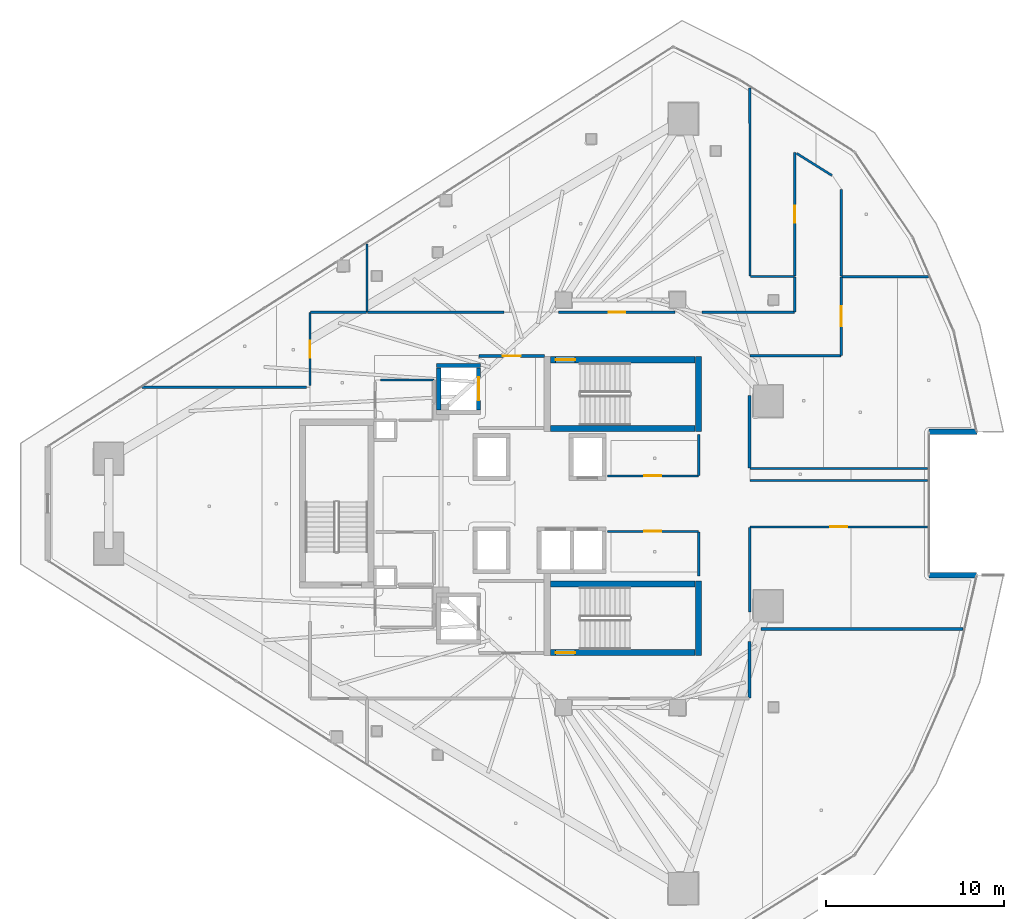
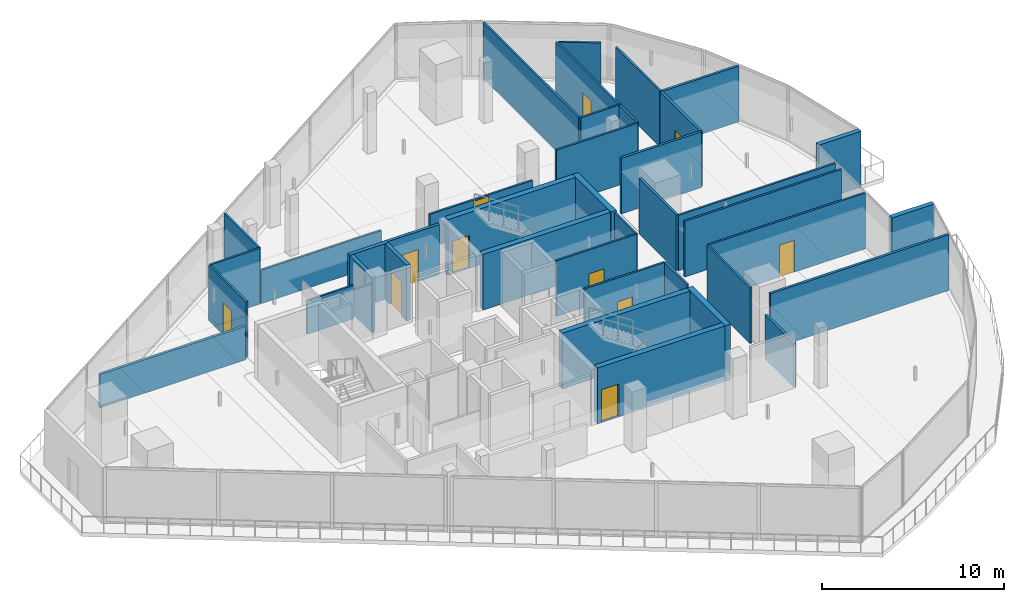
# One storey, part 26 of 34: 40 walls, 11 doors, 11 openings.
"""IFC4 building model written with IfcOpenShell, lengths in metres."""

import ifcopenshell
import ifcopenshell.guid

model = None  # the IFC model being written
_history = None  # IfcOwnerHistory: only IFC2X3 demands one
_inside = {}  # id of a spatial element -> (the spatial element, [elements in it])
_under = {}  # id of a project, library or spatial element -> (it, [spatial elements below it])
_declared = {}  # id of a project -> (the project, [libraries it declares])
_typed = {}  # id of a type object -> (the type object, [elements of that type])
_made_of = {}  # id of a material, layer set ... -> (it, [elements and type objects made of it])


def new_model(schema):
    """Start an empty IFC model of exactly this schema.

    Asked for "IFC4X3", IfcOpenShell would pick the latest addendum, in which some entities
    have other attributes; the version numbers below select the first issue.
    IFC2X3 requires an IfcOwnerHistory on every rooted entity: one is made here for all.
    """
    global model, _history
    if schema == "IFC4X3":
        model = ifcopenshell.file(schema_version=(4, 3, 0, 0))
    else:
        model = ifcopenshell.file(schema=schema)
    _inside.clear()
    _under.clear()
    _declared.clear()
    _typed.clear()
    _made_of.clear()
    _history = None
    if model.schema == "IFC2X3":
        org = make("IfcOrganization", Name="unknown")
        user = make(
            "IfcPersonAndOrganization",
            ThePerson=make("IfcPerson", FamilyName="unknown"),
            TheOrganization=org,
        )
        app = make(
            "IfcApplication",
            ApplicationDeveloper=org,
            Version="unknown",
            ApplicationFullName="unknown",
            ApplicationIdentifier="unknown",
        )
        _history = make(
            "IfcOwnerHistory",
            OwningUser=user,
            OwningApplication=app,
            ChangeAction="ADDED",
            CreationDate=0,
        )
    return model


def make(cls, **values):
    """One entity of the class cls with the attributes given. An attribute that is None is left unset."""
    return model.create_entity(
        cls, **{name: value for name, value in values.items() if value is not None}
    )


def rooted(cls, **values):
    """An entity with a GlobalId (a new one), such as an element, a storey or a relation."""
    return make(cls, GlobalId=ifcopenshell.guid.new(), OwnerHistory=_history, **values)


def si_unit(unit_type, name, prefix=None):
    """IfcSIUnit, for example si_unit("LENGTHUNIT", "METRE", prefix="MILLI")."""
    return make("IfcSIUnit", UnitType=unit_type, Prefix=prefix, Name=name)


def assignment(units):
    """IfcUnitAssignment: the units of a project."""
    return None if units is None else make("IfcUnitAssignment", Units=units)


def point(xyz):
    """IfcCartesianPoint."""
    return None if xyz is None else make("IfcCartesianPoint", Coordinates=xyz)


def direction(xyz):
    """IfcDirection."""
    return None if xyz is None else make("IfcDirection", DirectionRatios=xyz)


def frame(location, z_axis=None, x_axis=None):
    """IfcAxis2Placement3D, a coordinate frame: its origin and axes. An axis left out is left unset."""
    return make(
        "IfcAxis2Placement3D",
        Location=point(location),
        Axis=direction(z_axis),
        RefDirection=direction(x_axis),
    )


def frame_2d(location, x_axis=None):
    """IfcAxis2Placement2D, a coordinate frame in the plane: its origin and x axis."""
    return make(
        "IfcAxis2Placement2D", Location=point(location), RefDirection=direction(x_axis)
    )


def origin():
    """The frame at (0, 0, 0) with its axes left unset."""
    return frame((0.0, 0.0, 0.0))


def place(relative_to, where):
    """IfcLocalPlacement: puts the frame where relative to a parent placement (None: the world)."""
    return make(
        "IfcLocalPlacement", PlacementRelTo=relative_to, RelativePlacement=where
    )


def context(
    kind, dimensions, precision=None, world=None, true_north=None, identifier=None
):
    """IfcGeometricRepresentationContext, for example the 3D "Model" context."""
    return make(
        "IfcGeometricRepresentationContext",
        ContextIdentifier=identifier,
        ContextType=kind,
        CoordinateSpaceDimension=dimensions,
        Precision=precision,
        WorldCoordinateSystem=world,
        TrueNorth=true_north,
    )


def subcontext(parent, identifier, kind, view, scale=None):
    """IfcGeometricRepresentationSubContext, for example "Body" below "Model"."""
    return make(
        "IfcGeometricRepresentationSubContext",
        ContextIdentifier=identifier,
        ContextType=kind,
        ParentContext=parent,
        TargetScale=scale,
        TargetView=view,
    )


def project(units=None, contexts=None):
    """IfcProject with its units and contexts."""
    return rooted(
        "IfcProject",
        Name="project",
        RepresentationContexts=contexts,
        UnitsInContext=assignment(units),
    )


def spatial(cls, under=None, at=None, **own):
    """A site, building, storey or space (cls), placed at a placement, below another one or the project."""
    s = rooted(cls, ObjectPlacement=at, **own)
    if under is not None:
        _under.setdefault(under.id(), (under, []))[1].append(s)
    return s


def profile(cls, at=None, kind="AREA", **sizes):
    """A parametric profile (cls). Its sizes go by their IFC names, for example OverallWidth=200.0."""
    return make(cls, ProfileType=kind, Position=at, **sizes)


def rectangle(**sizes):
    """IfcRectangleProfileDef."""
    return profile("IfcRectangleProfileDef", **sizes)


def extrude(swept, where, along, depth):
    """IfcExtrudedAreaSolid: the profile swept, set in the frame where, extruded along a direction by depth."""
    return make(
        "IfcExtrudedAreaSolid",
        SweptArea=swept,
        Position=where,
        ExtrudedDirection=direction(along),
        Depth=depth,
    )


def shape(context_of_items, identifier, shape_type, items):
    """IfcShapeRepresentation: the items that make up one representation, for example the "Body"."""
    return make(
        "IfcShapeRepresentation",
        ContextOfItems=context_of_items,
        RepresentationIdentifier=identifier,
        RepresentationType=shape_type,
        Items=items,
    )


def material(Name=None, Category=None):
    """IfcMaterial."""
    return make("IfcMaterial", Name=Name, Category=Category)


def layer(
    of_material, thickness, ventilated=None, Name=None, Category=None, Priority=None
):
    """IfcMaterialLayer: one layer of a wall or slab, of a material (None: an air gap)."""
    return make(
        "IfcMaterialLayer",
        Material=of_material,
        LayerThickness=thickness,
        IsVentilated=ventilated,
        Name=Name,
        Category=Category,
        Priority=Priority,
    )


def layer_set(layers, Name=None):
    """IfcMaterialLayerSet."""
    return make("IfcMaterialLayerSet", MaterialLayers=layers, LayerSetName=Name)


def made_of(thing, what):
    """Note that an element or type object is made of a material, layer set ...; save() writes the relation."""
    if what is not None:
        _made_of.setdefault(what.id(), (what, []))[1].append(thing)
    return thing


def type_object(cls, material=None, **own):
    """A type object (cls), such as IfcWallType, which elements share."""
    return made_of(rooted(cls, **own), material)


def element(
    cls,
    number,
    at=None,
    inside=None,
    cuts=None,
    type_object=None,
    material=None,
    context=None,
    identifier="Body",
    shape_type=None,
    held_by="IfcProductDefinitionShape",
    body=None,
    shapes=None,
    **own,
):
    """One element of the class cls, such as IfcWall. Its Tag is "e" and its number.

    at: its placement. inside: the storey or other place that contains it. cuts: it is an
    opening in that element (IfcRelVoidsElement). A single representation is given by context,
    identifier, shape_type and body (its items); several are given by shapes. held_by: the class
    of the entity that holds the representations. save() writes the other relations.
    """
    e = rooted(cls, Tag="e%d" % number, ObjectPlacement=at, **own)
    if body is not None:
        shapes = [shape(context, identifier, shape_type, body)]
    if shapes is not None:
        e.Representation = make(held_by, Representations=shapes)
    if inside is not None:
        _inside.setdefault(inside.id(), (inside, []))[1].append(e)
    if cuts is not None:
        rooted(
            "IfcRelVoidsElement", RelatingBuildingElement=cuts, RelatedOpeningElement=e
        )
    if type_object is not None:
        _typed.setdefault(type_object.id(), (type_object, []))[1].append(e)
    return made_of(e, material)


def fill(opening, filler):
    """IfcRelFillsElement: the door or window that sits in an opening."""
    return rooted(
        "IfcRelFillsElement",
        RelatingOpeningElement=opening,
        RelatedBuildingElement=filler,
    )


def aggregate(whole, parts):
    """IfcRelAggregates: a whole, such as a stair, and the parts it consists of."""
    return rooted("IfcRelAggregates", RelatingObject=whole, RelatedObjects=parts)


def save(model, path):
    """Write the relations noted so far, then the file.

    IfcRelAggregates (storeys below a building ...), IfcRelContainedInSpatialStructure (elements
    in a storey), IfcRelDefinesByType, IfcRelAssociatesMaterial and IfcRelDeclares: one each for
    every whole, place, type object, material and project.
    """
    for whole, parts in _under.values():
        aggregate(whole, parts)
    for where, things in _inside.values():
        rooted(
            "IfcRelContainedInSpatialStructure",
            RelatedElements=things,
            RelatingStructure=where,
        )
    for kind, things in _typed.values():
        rooted("IfcRelDefinesByType", RelatedObjects=things, RelatingType=kind)
    for what, things in _made_of.values():
        rooted("IfcRelAssociatesMaterial", RelatedObjects=things, RelatingMaterial=what)
    for by, libraries in _declared.values():
        rooted("IfcRelDeclares", RelatingContext=by, RelatedDefinitions=libraries)
    model.write(path)


model = new_model("IFC4")

# Units and contexts
model_context = context("Model", 3, precision=1e-05, world=origin(), true_north=direction((0.0, 1.0)))
body_context = subcontext(model_context, "Body", "Model", "MODEL_VIEW")
ifc_project = project(units=[si_unit("LENGTHUNIT", "METRE"), si_unit("AREAUNIT", "SQUARE_METRE"), si_unit("VOLUMEUNIT", "CUBIC_METRE"), si_unit("PLANEANGLEUNIT", "RADIAN"), si_unit("MASSUNIT", "GRAM", prefix="KILO")], contexts=[model_context])

# Site, building, storey
site_placement = place(None, origin())
site = spatial("IfcSite", under=ifc_project, at=site_placement, CompositionType="ELEMENT")
building_placement = place(site_placement, origin())
building = spatial("IfcBuilding", under=site, at=building_placement, Name="Qorvath Tower", CompositionType="ELEMENT")
storey_placement = place(building_placement, frame((0.0, 0.0, 245.550048828125)))
storey = spatial("IfcBuildingStorey", under=building, at=storey_placement, Name="L57", CompositionType="ELEMENT", Elevation=245.550048828125)

# Wall, opening, door
ifc_material_1 = material(Name="Gypsum shaftliner on steel studs", Category="steel")
ifc_layer_1 = layer(ifc_material_1, 0.179931640625)
ifc_layer_set_1 = layer_set([ifc_layer_1], Name="FW-LOBBY")
wall_type_1 = type_object("IfcWallType", Name="FW-LOBBY", PredefinedType="PARTITIONING", material=ifc_layer_set_1)
wall_1_placement = place(storey_placement, frame((-24.68408203125, 8.300048828125, 0.0), z_axis=(0.0, 0.0, 1.0), x_axis=(-1.0, 0.0, 0.0)))
wall_1 = element("IfcWall", 1, at=wall_1_placement, inside=storey, type_object=wall_type_1, Name="Interior Partition IW-T1-L57-002", PredefinedType="PARTITIONING", context=body_context, shape_type="SweptSolid", body=[
    extrude(rectangle(XDim=3.6708984375, YDim=0.179931640625, at=frame_2d((1.83544921875, 0.0))), origin(), (0.0, 0.0, 1.0), 3.368896484375),
])
opening_1_placement = place(wall_1_placement, frame((1.33544921875, 0.0, 0.0)))
opening_1 = element("IfcOpeningElement", 2, at=opening_1_placement, cuts=wall_1, Name="Opening D-T1-L57-11", PredefinedType="OPENING", context=body_context, shape_type="SweptSolid", body=[
    extrude(rectangle(XDim=1.0, YDim=2.14990234375, at=frame_2d((0.5, 1.074951171875))), frame((0.0, 0.10009765625, 0.0), z_axis=(0.0, -1.0, 0.0), x_axis=(1.0, 0.0, 0.0)), (0.0, 0.0, 1.0), 0.199951171875),
])
ifc_material_2 = material(Name="Painted galvanised hollow metal", Category="steel")
door_type_1 = type_object("IfcDoorType", Name="FD-60", OperationType="NOTDEFINED", PredefinedType="DOOR", material=ifc_material_2)
door_1_placement = place(opening_1_placement, origin())
door_1 = element("IfcDoor", 3, at=door_1_placement, inside=storey, type_object=door_type_1, Name="Lobby Fire Service Elevator North Door D-T1-L57-11", OperationType="SINGLE_SWING_RIGHT", OverallHeight=2.14990234375, OverallWidth=1.0, PredefinedType="DOOR", context=body_context, shape_type="SweptSolid", body=[
    extrude(rectangle(XDim=1.0, YDim=2.14990234375, at=frame_2d((0.5, 1.074951171875))), frame((0.0, 0.02490234375, 0.0), z_axis=(0.0, -1.0, 0.0), x_axis=(1.0, 0.0, 0.0)), (0.0, 0.0, 1.0), 0.050048828125),
])
fill(opening_1, door_1)

# Walls
ifc_material_3 = material(Name="Double acoustic gypsum board on steel studs", Category="steel")
ifc_layer_2 = layer(ifc_material_3, 0.159912109375)
ifc_layer_set_2 = layer_set([ifc_layer_2], Name="IW-ACOUSTIC-160")
wall_type_2 = type_object("IfcWallType", Name="IW-ACOUSTIC-160", PredefinedType="PARTITIONING", material=ifc_layer_set_2)
wall_2_placement = place(storey_placement, frame((-1.1455078125, -7.0546875, 0.0), z_axis=(0.0, 0.0, 1.0), x_axis=(-0.99999999169, 0.000128921357, 0.0)))
element("IfcWall", 4, at=wall_2_placement, inside=storey, type_object=wall_type_2, Name="Interior Partition IW-T1-L57-027", PredefinedType="PARTITIONING", context=body_context, shape_type="SweptSolid", body=[
    extrude(rectangle(XDim=11.3623046875, YDim=0.159912109375, at=frame_2d((5.68115234375, 0.0))), origin(), (0.0, 0.0, 1.0), 3.75),
])
wall_3_placement = place(storey_placement, frame((-13.14208984375, -10.93310546875, 0.0), z_axis=(0.0, 0.0, 1.0), x_axis=(0.0, 1.0, 0.0)))
element("IfcWall", 5, at=wall_3_placement, inside=storey, type_object=wall_type_2, Name="Interior Partition IW-T1-L57-028", PredefinedType="PARTITIONING", context=body_context, shape_type="SweptSolid", body=[
    extrude(rectangle(XDim=3.17529296875, YDim=0.159912109375, at=frame_2d((1.587646484375, 0.0))), origin(), (0.0, 0.0, 1.0), 2.969970703125),
])
wall_4_placement = place(storey_placement, frame((-3.08544921875, 12.7548828125, 0.0), z_axis=(0.0, 0.0, 1.0), x_axis=(-1.0, 0.0, 0.0)))
element("IfcWall", 6, at=wall_4_placement, inside=storey, type_object=wall_type_2, Name="Interior Partition IW-T1-L57-037", PredefinedType="PARTITIONING", context=body_context, shape_type="SweptSolid", body=[
    extrude(rectangle(XDim=4.88134765625, YDim=0.159912109375, at=frame_2d((2.440673828125, 0.0))), origin(), (0.0, 0.0, 1.0), 3.75),
])

# Wall, opening, door
wall_5_placement = place(storey_placement, frame((-7.991943359375, 12.72998046875, 0.0), z_axis=(0.0, 0.0, 1.0), x_axis=(0.0, -1.0, 0.0)))
wall_5 = element("IfcWall", 7, at=wall_5_placement, inside=storey, type_object=wall_type_2, Name="Interior Partition IW-T1-L57-038", PredefinedType="PARTITIONING", context=body_context, shape_type="SweptSolid", body=[
    extrude(rectangle(XDim=4.39306640625, YDim=0.159912109375, at=frame_2d((2.196533203125, 0.0))), origin(), (0.0, 0.0, 1.0), 3.75),
])
opening_2_placement = place(wall_5_placement, frame((1.646484375, 0.0, 0.0)))
opening_2 = element("IfcOpeningElement", 8, at=opening_2_placement, cuts=wall_5, Name="Opening D-T1-L57-07", PredefinedType="OPENING", context=body_context, shape_type="SweptSolid", body=[
    extrude(rectangle(XDim=1.10009765625, YDim=2.14990234375, at=frame_2d((0.550048828125, 1.074951171875))), frame((0.0, 0.08984375, 0.0), z_axis=(0.0, -1.0, 0.0), x_axis=(1.0, 0.0, 0.0)), (0.0, 0.0, 1.0), 0.179931640625),
])
ifc_material_4 = material(Name="Anodised aluminium acoustic framed glass", Category="aluminium")
door_type_2 = type_object("IfcDoorType", Name="D-03", OperationType="NOTDEFINED", PredefinedType="DOOR", material=ifc_material_4)
door_2_placement = place(opening_2_placement, origin())
door_2 = element("IfcDoor", 9, at=door_2_placement, inside=storey, type_object=door_type_2, Name="L57-04 Team Project Office Door D-T1-L57-07", OperationType="SINGLE_SWING_RIGHT", OverallHeight=2.14990234375, OverallWidth=1.10009765625, PredefinedType="DOOR", context=body_context, shape_type="SweptSolid", body=[
    extrude(rectangle(XDim=1.10009765625, YDim=2.14990234375, at=frame_2d((0.550048828125, 1.074951171875))), frame((0.0, 0.02490234375, 0.0), z_axis=(0.0, -1.0, 0.0), x_axis=(1.0, 0.0, 0.0)), (0.0, 0.0, 1.0), 0.050048828125),
])
fill(opening_2, door_2)

# Walls
wall_6_placement = place(storey_placement, frame((-8.016845703125, 8.31201171875, 0.0), z_axis=(0.0, 0.0, 1.0), x_axis=(-1.0, 0.0, 0.0)))
element("IfcWall", 10, at=wall_6_placement, inside=storey, type_object=wall_type_2, Name="Interior Partition IW-T1-L57-039", PredefinedType="PARTITIONING", context=body_context, shape_type="SweptSolid", body=[
    extrude(rectangle(XDim=5.100341796875, YDim=0.159912109375, at=frame_2d((2.55029296875, 0.0))), origin(), (0.0, 0.0, 1.0), 3.75),
])
wall_7_placement = place(storey_placement, frame((-13.14208984375, 6.08984375, 0.0), z_axis=(0.0, 0.0, 1.0), x_axis=(0.0, -1.0, 0.0)))
element("IfcWall", 11, at=wall_7_placement, inside=storey, type_object=wall_type_2, Name="Interior Partition IW-T1-L57-040", PredefinedType="PARTITIONING", context=body_context, shape_type="SweptSolid", body=[
    extrude(rectangle(XDim=4.075927734375, YDim=0.159912109375, at=frame_2d((2.0380859375, 0.0))), origin(), (0.0, 0.0, 1.0), 3.75),
])
wall_8_placement = place(storey_placement, frame((-38.059814453125, 6.5400390625, 0.0), z_axis=(0.0, 0.0, 1.0), x_axis=(-0.999999991292, 0.000131971387, 0.0)))
element("IfcWall", 12, at=wall_8_placement, inside=storey, type_object=wall_type_2, Name="Interior Partition IW-T1-L57-046", PredefinedType="PARTITIONING", context=body_context, shape_type="SweptSolid", body=[
    extrude(rectangle(XDim=9.249755859375, YDim=0.159912109375, at=frame_2d((4.625, 0.0))), origin(), (0.0, 0.0, 1.0), 2.25),
])

# Wall, opening, door
ifc_material_5 = material(Name="Gypsum board on metal studs with mineral wool", Category="gypsum")
ifc_layer_3 = layer(ifc_material_5, 0.125)
ifc_layer_set_3 = layer_set([ifc_layer_3], Name="IW-PART-125")
wall_type_3 = type_object("IfcWallType", Name="IW-PART-125", PredefinedType="PARTITIONING", material=ifc_layer_set_3)
wall_9_placement = place(storey_placement, frame((-21.1337890625, 1.56005859375, 0.0), z_axis=(0.0, 0.0, 1.0), x_axis=(1.0, 0.0, 0.0)))
wall_9 = element("IfcWall", 13, at=wall_9_placement, inside=storey, type_object=wall_type_3, Name="Interior Partition IW-T1-L57-013", PredefinedType="PARTITIONING", context=body_context, shape_type="SweptSolid", body=[
    extrude(rectangle(XDim=5.10888671875, YDim=0.125, at=frame_2d((2.554443359375, 0.0))), origin(), (0.0, 0.0, 1.0), 3.75),
])
opening_3_placement = place(wall_9_placement, frame((2.079345703125, 0.0, 0.0)))
opening_3 = element("IfcOpeningElement", 14, at=opening_3_placement, cuts=wall_9, Name="Opening D-T1-L57-01", PredefinedType="OPENING", context=body_context, shape_type="SweptSolid", body=[
    extrude(rectangle(XDim=0.949951171875, YDim=2.14990234375, at=frame_2d((0.47509765625, 1.074951171875))), frame((0.0, 0.072509765625, 0.0), z_axis=(0.0, -1.0, 0.0), x_axis=(1.0, 0.0, 0.0)), (0.0, 0.0, 1.0), 0.14501953125),
])
ifc_material_6 = material(Name="Solid-core American white oak veneer", Category="wood")
door_type_3 = type_object("IfcDoorType", Name="D-01", OperationType="NOTDEFINED", PredefinedType="DOOR", material=ifc_material_6)
door_3_placement = place(opening_3_placement, origin())
door_3 = element("IfcDoor", 15, at=door_3_placement, inside=storey, type_object=door_type_3, Name="L57-RCN North Quantitative Server Suite Door D-T1-L57-01", OperationType="SINGLE_SWING_RIGHT", OverallHeight=2.14990234375, OverallWidth=0.949951171875, PredefinedType="DOOR", context=body_context, shape_type="SweptSolid", body=[
    extrude(rectangle(XDim=0.949951171875, YDim=2.14990234375, at=frame_2d((0.47509765625, 1.074951171875))), frame((0.0, 0.02490234375, 0.0), z_axis=(0.0, -1.0, 0.0), x_axis=(1.0, 0.0, 0.0)), (0.0, 0.0, 1.0), 0.050048828125),
])
fill(opening_3, door_3)

# Walls
wall_10_placement = place(storey_placement, frame((-16.0, 1.585205078125, 0.0), z_axis=(0.0, 0.0, 1.0), x_axis=(0.0, 1.0, 0.0)))
element("IfcWall", 16, at=wall_10_placement, inside=storey, type_object=wall_type_3, Name="Interior Partition IW-T1-L57-014", PredefinedType="PARTITIONING", context=body_context, shape_type="SweptSolid", body=[
    extrude(rectangle(XDim=2.30224609375, YDim=0.125, at=frame_2d((1.151123046875, 0.0))), origin(), (0.0, 0.0, 1.0), 3.75),
])
wall_11_placement = place(storey_placement, frame((-16.0, -4.0751953125, 0.0), z_axis=(0.0, 0.0, 1.0), x_axis=(0.0, 1.0, 0.0)))
element("IfcWall", 17, at=wall_11_placement, inside=storey, type_object=wall_type_3, Name="Interior Partition IW-T1-L57-015", PredefinedType="PARTITIONING", context=body_context, shape_type="SweptSolid", body=[
    extrude(rectangle(XDim=2.489990234375, YDim=0.125, at=frame_2d((1.2451171875, 0.0))), origin(), (0.0, 0.0, 1.0), 3.75),
])

# Wall, opening, door
wall_12_placement = place(storey_placement, frame((-16.02490234375, -1.56005859375, 0.0), z_axis=(0.0, 0.0, 1.0), x_axis=(-1.0, 0.0, 0.0)))
wall_12 = element("IfcWall", 18, at=wall_12_placement, inside=storey, type_object=wall_type_3, Name="Interior Partition IW-T1-L57-016", PredefinedType="PARTITIONING", context=body_context, shape_type="SweptSolid", body=[
    extrude(rectangle(XDim=5.10888671875, YDim=0.125, at=frame_2d((2.554443359375, 0.0))), origin(), (0.0, 0.0, 1.0), 3.75),
])
opening_4_placement = place(wall_12_placement, frame((2.079345703125, 0.0, 0.0)))
opening_4 = element("IfcOpeningElement", 19, at=opening_4_placement, cuts=wall_12, Name="Opening D-T1-L57-02", PredefinedType="OPENING", context=body_context, shape_type="SweptSolid", body=[
    extrude(rectangle(XDim=0.949951171875, YDim=2.14990234375, at=frame_2d((0.47509765625, 1.074951171875))), frame((0.0, 0.072509765625, 0.0), z_axis=(0.0, -1.0, 0.0), x_axis=(1.0, 0.0, 0.0)), (0.0, 0.0, 1.0), 0.14501953125),
])
door_4_placement = place(opening_4_placement, origin())
door_4 = element("IfcDoor", 20, at=door_4_placement, inside=storey, type_object=door_type_3, Name="L57-RCS South Quantitative Server Suite Door D-T1-L57-02", OperationType="SINGLE_SWING_LEFT", OverallHeight=2.14990234375, OverallWidth=0.949951171875, PredefinedType="DOOR", context=body_context, shape_type="SweptSolid", body=[
    extrude(rectangle(XDim=0.949951171875, YDim=2.14990234375, at=frame_2d((0.47509765625, 1.074951171875))), frame((0.0, 0.02490234375, 0.0), z_axis=(0.0, -1.0, 0.0), x_axis=(1.0, 0.0, 0.0)), (0.0, 0.0, 1.0), 0.050048828125),
])
fill(opening_4, door_4)

# Wall
wall_13_placement = place(storey_placement, frame((-34.625, 10.758056640625, 0.0), z_axis=(0.0, 0.0, 1.0), x_axis=(1.0, 0.0, 0.0)))
element("IfcWall", 21, at=wall_13_placement, inside=storey, type_object=wall_type_3, Name="Interior Partition IW-T1-L57-020", PredefinedType="PARTITIONING", context=body_context, shape_type="SweptSolid", body=[
    extrude(rectangle(XDim=7.660400390625, YDim=0.125, at=frame_2d((3.830078125, 0.0))), origin(), (0.0, 0.0, 1.0), 2.25),
])

# Wall, opening, door
wall_14_placement = place(storey_placement, frame((-23.87548828125, 10.758056640625, 0.0), z_axis=(0.0, 0.0, 1.0), x_axis=(1.0, 0.0, 0.0)))
wall_14 = element("IfcWall", 22, at=wall_14_placement, inside=storey, type_object=wall_type_3, Name="Interior Partition IW-T1-L57-021", PredefinedType="PARTITIONING", context=body_context, shape_type="SweptSolid", body=[
    extrude(rectangle(XDim=6.545654296875, YDim=0.125, at=frame_2d((3.27294921875, 0.0))), origin(), (0.0, 0.0, 1.0), 2.25),
])
opening_5_placement = place(wall_14_placement, frame((2.7978515625, 0.0, 0.0)))
opening_5 = element("IfcOpeningElement", 23, at=opening_5_placement, cuts=wall_14, Name="Opening D-T1-L57-04", PredefinedType="OPENING", context=body_context, shape_type="SweptSolid", body=[
    extrude(rectangle(XDim=0.949951171875, YDim=2.14990234375, at=frame_2d((0.47509765625, 1.074951171875))), frame((0.0, 0.072509765625, 0.0), z_axis=(0.0, -1.0, 0.0), x_axis=(1.0, 0.0, 0.0)), (0.0, 0.0, 1.0), 0.14501953125),
])
door_5_placement = place(opening_5_placement, origin())
door_5 = element("IfcDoor", 24, at=door_5_placement, inside=storey, type_object=door_type_3, Name="L57-01 Open Workplace Studio Door D-T1-L57-04", OperationType="SINGLE_SWING_LEFT", OverallHeight=2.14990234375, OverallWidth=0.949951171875, PredefinedType="DOOR", context=body_context, shape_type="SweptSolid", body=[
    extrude(rectangle(XDim=0.949951171875, YDim=2.14990234375, at=frame_2d((0.47509765625, 1.074951171875))), frame((0.0, 0.02490234375, 0.0), z_axis=(0.0, -1.0, 0.0), x_axis=(1.0, 0.0, 0.0)), (0.0, 0.0, 1.0), 0.050048828125),
])
fill(opening_5, door_5)

# Walls
wall_15_placement = place(storey_placement, frame((-15.829345703125, 10.758056640625, 0.0), z_axis=(0.0, 0.0, 1.0), x_axis=(1.0, 0.0, 0.0)))
element("IfcWall", 25, at=wall_15_placement, inside=storey, type_object=wall_type_3, Name="Interior Partition IW-T1-L57-022", PredefinedType="PARTITIONING", context=body_context, shape_type="SweptSolid", body=[
    extrude(rectangle(XDim=5.196533203125, YDim=0.125, at=frame_2d((2.59814453125, 0.0))), origin(), (0.0, 0.0, 1.0), 3.75),
])
wall_16_placement = place(storey_placement, frame((-10.60791015625, 10.783203125, 0.0), z_axis=(0.0, 0.0, 1.0), x_axis=(0.0, 1.0, 0.0)))
element("IfcWall", 26, at=wall_16_placement, inside=storey, type_object=wall_type_3, Name="Interior Partition IW-T1-L57-023", PredefinedType="PARTITIONING", context=body_context, shape_type="SweptSolid", body=[
    extrude(rectangle(XDim=1.966796875, YDim=0.125, at=frame_2d((0.9833984375, 0.0))), origin(), (0.0, 0.0, 1.0), 3.75),
])
wall_17_placement = place(storey_placement, frame((-13.10546875, 12.77490234375, 0.0), z_axis=(0.0, 0.0, 1.0), x_axis=(1.0, 0.0, 0.0)))
element("IfcWall", 27, at=wall_17_placement, inside=storey, type_object=wall_type_3, Name="Interior Partition IW-T1-L57-024", PredefinedType="PARTITIONING", context=body_context, shape_type="SweptSolid", body=[
    extrude(rectangle(XDim=2.47265625, YDim=0.125, at=frame_2d((1.236328125, 0.0))), origin(), (0.0, 0.0, 1.0), 3.75),
])
wall_18_placement = place(storey_placement, frame((-13.13037109375, 12.7998046875, 0.0), z_axis=(0.0, 0.0, 1.0), x_axis=(-0.000115484109, 0.999999993332, 0.0)))
element("IfcWall", 28, at=wall_18_placement, inside=storey, type_object=wall_type_3, Name="Interior Partition IW-T1-L57-025", PredefinedType="PARTITIONING", context=body_context, shape_type="SweptSolid", body=[
    extrude(rectangle(XDim=10.5703125, YDim=0.125, at=frame_2d((5.28515625, 0.0))), origin(), (0.0, 0.0, 1.0), 3.75),
])
wall_19_placement = place(storey_placement, frame((-34.64990234375, 14.603515625, 0.0), z_axis=(0.0, 0.0, 1.0), x_axis=(0.0, -1.0, 0.0)))
element("IfcWall", 29, at=wall_19_placement, inside=storey, type_object=wall_type_3, Name="Interior Partition IW-T1-L57-026", PredefinedType="PARTITIONING", context=body_context, shape_type="SweptSolid", body=[
    extrude(rectangle(XDim=3.8203125, YDim=0.125, at=frame_2d((1.91015625, 0.0))), origin(), (0.0, 0.0, 1.0), 3.75),
])
for number, where, z_axis, x_axis, name in (
    (30, (-3.146240234375, 1.98095703125, 0.0), (0.0, 0.0, 1.0), (-1.0, 0.0, 0.0), "Interior Partition IW-T1-L57-033"),
    (31, (-3.146240234375, 1.30810546875, 0.0), (0.0, 0.0, 1.0), (-1.0, 0.0, 0.0), "Interior Partition IW-T1-L57-034"),
):
    element("IfcWall", number, at=place(storey_placement, frame(where, z_axis=z_axis, x_axis=x_axis)), inside=storey, type_object=wall_type_3, Name=name, PredefinedType="PARTITIONING", context=body_context, shape_type="SweptSolid", body=[
        extrude(rectangle(XDim=9.970947265625, YDim=0.125, at=frame_2d((4.9853515625, 0.0))), origin(), (0.0, 0.0, 1.0), 3.75),
    ])

# Wall, opening, door
wall_20_placement = place(storey_placement, frame((-3.146240234375, -1.30810546875, 0.0), z_axis=(0.0, 0.0, 1.0), x_axis=(-1.0, 0.0, 0.0)))
wall_20 = element("IfcWall", 32, at=wall_20_placement, inside=storey, type_object=wall_type_3, Name="Interior Partition IW-T1-L57-035", PredefinedType="PARTITIONING", context=body_context, shape_type="SweptSolid", body=[
    extrude(rectangle(XDim=9.970947265625, YDim=0.125, at=frame_2d((4.9853515625, 0.0))), origin(), (0.0, 0.0, 1.0), 3.75),
])
opening_6_placement = place(wall_20_placement, frame((4.510498046875, 0.0, 0.0)))
opening_6 = element("IfcOpeningElement", 33, at=opening_6_placement, cuts=wall_20, Name="Opening D-T1-L57-06", PredefinedType="OPENING", context=body_context, shape_type="SweptSolid", body=[
    extrude(rectangle(XDim=0.949951171875, YDim=2.14990234375, at=frame_2d((0.47509765625, 1.074951171875))), frame((0.0, 0.072509765625, 0.0), z_axis=(0.0, -1.0, 0.0), x_axis=(1.0, 0.0, 0.0)), (0.0, 0.0, 1.0), 0.14501953125),
])
door_6_placement = place(opening_6_placement, origin())
door_6 = element("IfcDoor", 34, at=door_6_placement, inside=storey, type_object=door_type_3, Name="L57-03 Quantitative Research Studio Door D-T1-L57-06", OperationType="SINGLE_SWING_LEFT", OverallHeight=2.14990234375, OverallWidth=0.949951171875, PredefinedType="DOOR", context=body_context, shape_type="SweptSolid", body=[
    extrude(rectangle(XDim=0.949951171875, YDim=2.14990234375, at=frame_2d((0.47509765625, 1.074951171875))), frame((0.0, 0.02490234375, 0.0), z_axis=(0.0, -1.0, 0.0), x_axis=(1.0, 0.0, 0.0)), (0.0, 0.0, 1.0), 0.050048828125),
])
fill(opening_6, door_6)

# Wall
wall_21_placement = place(storey_placement, frame((-13.14208984375, -1.3330078125, 0.0), z_axis=(0.0, 0.0, 1.0), x_axis=(0.0, -1.0, 0.0)))
element("IfcWall", 35, at=wall_21_placement, inside=storey, type_object=wall_type_3, Name="Interior Partition IW-T1-L57-036", PredefinedType="PARTITIONING", context=body_context, shape_type="SweptSolid", body=[
    extrude(rectangle(XDim=4.7568359375, YDim=0.125, at=frame_2d((2.37841796875, 0.0))), origin(), (0.0, 0.0, 1.0), 3.75),
])

# Wall, opening, door
wall_22_placement = place(storey_placement, frame((-10.60791015625, 19.731689453125, 0.0), z_axis=(0.0, 0.0, 1.0), x_axis=(0.0, -1.0, 0.0)))
wall_22 = element("IfcWall", 36, at=wall_22_placement, inside=storey, type_object=wall_type_3, Name="Interior Partition IW-T1-L57-041", PredefinedType="PARTITIONING", context=body_context, shape_type="SweptSolid", body=[
    extrude(rectangle(XDim=6.923583984375, YDim=0.125, at=frame_2d((3.4619140625, 0.0))), origin(), (0.0, 0.0, 1.0), 3.75),
])
opening_7_placement = place(wall_22_placement, frame((2.98681640625, 0.0, 0.0)))
opening_7 = element("IfcOpeningElement", 37, at=opening_7_placement, cuts=wall_22, Name="Opening D-T1-L57-08", PredefinedType="OPENING", context=body_context, shape_type="SweptSolid", body=[
    extrude(rectangle(XDim=0.949951171875, YDim=2.14990234375, at=frame_2d((0.47509765625, 1.074951171875))), frame((0.0, 0.072509765625, 0.0), z_axis=(0.0, -1.0, 0.0), x_axis=(1.0, 0.0, 0.0)), (0.0, 0.0, 1.0), 0.14501953125),
])
door_7_placement = place(opening_7_placement, origin())
door_7 = element("IfcDoor", 38, at=door_7_placement, inside=storey, type_object=door_type_3, Name="L57-05 Open Workplace Studio Door D-T1-L57-08", OperationType="SINGLE_SWING_LEFT", OverallHeight=2.14990234375, OverallWidth=0.949951171875, PredefinedType="DOOR", context=body_context, shape_type="SweptSolid", body=[
    extrude(rectangle(XDim=0.949951171875, YDim=2.14990234375, at=frame_2d((0.47509765625, 1.074951171875))), frame((0.0, 0.02490234375, 0.0), z_axis=(0.0, -1.0, 0.0), x_axis=(1.0, 0.0, 0.0)), (0.0, 0.0, 1.0), 0.050048828125),
])
fill(opening_7, door_7)

# Walls
wall_23_placement = place(storey_placement, frame((-8.521484375, 18.450927734375, 0.0), z_axis=(0.0, 0.0, 1.0), x_axis=(-0.847639975325, 0.530571835128, 0.0)))
element("IfcWall", 39, at=wall_23_placement, inside=storey, type_object=wall_type_3, Name="Interior Partition IW-T1-L57-042", PredefinedType="PARTITIONING", context=body_context, shape_type="SweptSolid", body=[
    extrude(rectangle(XDim=2.336181640625, YDim=0.125, at=frame_2d((1.16796875, 0.0))), origin(), (0.0, 0.0, 1.0), 3.75),
])
wall_24_placement = place(storey_placement, frame((-7.991943359375, 12.787841796875, 0.0), z_axis=(0.0, 0.0, 1.0), x_axis=(0.0, 1.0, 0.0)))
element("IfcWall", 40, at=wall_24_placement, inside=storey, type_object=wall_type_3, Name="Interior Partition IW-T1-L57-043", PredefinedType="PARTITIONING", context=body_context, shape_type="SweptSolid", body=[
    extrude(rectangle(XDim=4.879150390625, YDim=0.125, at=frame_2d((2.439453125, 0.0))), origin(), (0.0, 0.0, 1.0), 3.75),
])

# Wall, opening, door
wall_25_placement = place(storey_placement, frame((-37.85791015625, 6.63232421875, 0.0), z_axis=(0.0, 0.0, 1.0), x_axis=(0.0, 1.0, 0.0)))
wall_25 = element("IfcWall", 41, at=wall_25_placement, inside=storey, type_object=wall_type_3, Name="Interior Partition IW-T1-L57-047", PredefinedType="PARTITIONING", context=body_context, shape_type="SweptSolid", body=[
    extrude(rectangle(XDim=4.100830078125, YDim=0.125, at=frame_2d((2.05029296875, 0.0))), origin(), (0.0, 0.0, 1.0), 3.75),
])
opening_8_placement = place(wall_25_placement, frame((1.575439453125, 0.0, 0.0)))
opening_8 = element("IfcOpeningElement", 42, at=opening_8_placement, cuts=wall_25, Name="Opening D-T1-L57-10", PredefinedType="OPENING", context=body_context, shape_type="SweptSolid", body=[
    extrude(rectangle(XDim=0.949951171875, YDim=2.14990234375, at=frame_2d((0.47509765625, 1.074951171875))), frame((0.0, 0.072509765625, 0.0), z_axis=(0.0, -1.0, 0.0), x_axis=(1.0, 0.0, 0.0)), (0.0, 0.0, 1.0), 0.14501953125),
])
door_8_placement = place(opening_8_placement, origin())
door_8 = element("IfcDoor", 43, at=door_8_placement, inside=storey, type_object=door_type_3, Name="L57-07 Staff Refreshment Pantry and Coffee Bar Door D-T1-L57-10", OperationType="SINGLE_SWING_LEFT", OverallHeight=2.14990234375, OverallWidth=0.949951171875, PredefinedType="DOOR", context=body_context, shape_type="SweptSolid", body=[
    extrude(rectangle(XDim=0.949951171875, YDim=2.14990234375, at=frame_2d((0.47509765625, 1.074951171875))), frame((0.0, 0.02490234375, 0.0), z_axis=(0.0, -1.0, 0.0), x_axis=(1.0, 0.0, 0.0)), (0.0, 0.0, 1.0), 0.050048828125),
])
fill(opening_8, door_8)

# Walls
wall_26_placement = place(storey_placement, frame((-34.68310546875, 10.758056640625, 0.0), z_axis=(0.0, 0.0, 1.0), x_axis=(-1.0, 0.0, 0.0)))
element("IfcWall", 44, at=wall_26_placement, inside=storey, type_object=wall_type_3, Name="Interior Partition IW-T1-L57-048", PredefinedType="PARTITIONING", context=body_context, shape_type="SweptSolid", body=[
    extrude(rectangle(XDim=3.14990234375, YDim=0.125, at=frame_2d((1.574951171875, 0.0))), origin(), (0.0, 0.0, 1.0), 3.75),
])
ifc_material_7 = material(Name="Moisture-resistant cement board on metal studs", Category="gypsum")
ifc_layer_4 = layer(ifc_material_7, 0.110107421875)
ifc_layer_set_4 = layer_set([ifc_layer_4], Name="IW-WC-110")
wall_type_4 = type_object("IfcWallType", Name="IW-WC-110", PredefinedType="PARTITIONING", material=ifc_layer_set_4)
wall_27_placement = place(storey_placement, frame((-30.90478515625, 6.949951171875, 0.0), z_axis=(0.0, 0.0, 1.0), x_axis=(-1.0, 0.0, 0.0)))
element("IfcWall", 45, at=wall_27_placement, inside=storey, type_object=wall_type_4, Name="Interior Partition IW-T1-L57-008", PredefinedType="PARTITIONING", context=body_context, shape_type="SweptSolid", body=[
    extrude(rectangle(XDim=2.987548828125, YDim=0.110107421875, at=frame_2d((1.49365234375, 0.0))), origin(), (0.0, 0.0, 1.0), 2.25),
])
ifc_material_8 = material(Name="Concrete C60/75", Category="concrete")
ifc_layer_5 = layer(ifc_material_8, 0.260009765625)
ifc_layer_set_5 = layer_set([ifc_layer_5], Name="SW-SHAFT")
wall_type_5 = type_object("IfcWallType", Name="SW-SHAFT", PredefinedType="SHEAR", material=ifc_layer_set_5)
wall_28_placement = place(storey_placement, frame((-30.739990234375, 7.77001953125, 0.0), z_axis=(0.0, 0.0, 1.0), x_axis=(1.0, 0.0, 0.0)))
element("IfcWall", 46, at=wall_28_placement, inside=storey, type_object=wall_type_5, Name="Hoistway Wall FSAE-1 L57 N", PredefinedType="SHEAR", context=body_context, shape_type="SweptSolid", body=[
    extrude(rectangle(XDim=2.47998046875, YDim=0.239990234375, at=frame_2d((1.239990234375, 0.0))), origin(), (0.0, 0.0, 1.0), 3.75),
])
wall_29_placement = place(storey_placement, frame((-30.6201171875, 5.261962890625, 0.0), z_axis=(0.0, 0.0, 1.0), x_axis=(0.0, 1.0, 0.0)))
element("IfcWall", 47, at=wall_29_placement, inside=storey, type_object=wall_type_5, Name="Hoistway Wall FSAE-1 L57 W", PredefinedType="SHEAR", context=body_context, shape_type="SweptSolid", body=[
    extrude(rectangle(XDim=2.3759765625, YDim=0.239990234375, at=frame_2d((1.18798828125, 0.0))), origin(), (0.0, 0.0, 1.0), 3.75),
])

# Wall, opening, door
wall_30_placement = place(storey_placement, frame((-28.3798828125, 7.637939453125, 0.0), z_axis=(0.0, 0.0, 1.0), x_axis=(0.0, -1.0, 0.0)))
wall_30 = element("IfcWall", 48, at=wall_30_placement, inside=storey, type_object=wall_type_5, Name="Hoistway Wall FSAE-1 L57 E", PredefinedType="SHEAR", context=body_context, shape_type="SweptSolid", body=[
    extrude(rectangle(XDim=2.3759765625, YDim=0.239990234375, at=frame_2d((1.18798828125, 0.0))), origin(), (0.0, 0.0, 1.0), 3.75),
])
opening_9_placement = place(wall_30_placement, frame((0.537841796875, 0.0, 0.0)))
opening_9 = element("IfcOpeningElement", 49, at=opening_9_placement, cuts=wall_30, Name="Opening LD-FSAE-1-L57", PredefinedType="OPENING", context=body_context, shape_type="SweptSolid", body=[
    extrude(rectangle(XDim=1.300048828125, YDim=2.300048828125, at=frame_2d((0.64990234375, 1.14990234375))), frame((0.0, 0.1298828125, 0.0), z_axis=(0.0, -1.0, 0.0), x_axis=(1.0, 0.0, 0.0)), (0.0, 0.0, 1.0), 0.260009765625),
])
ifc_material_9 = material(Name="Brushed stainless steel AISI 316", Category="steel")
door_type_4 = type_object("IfcDoorType", Name="LD-02", OperationType="NOTDEFINED", PredefinedType="DOOR", material=ifc_material_9)
door_9_placement = place(opening_9_placement, origin())
door_9 = element("IfcDoor", 50, at=door_9_placement, inside=storey, type_object=door_type_4, Name="Elevator Landing Sliding Door LD-FSAE-1-L57", OperationType="DOUBLE_DOOR_SLIDING", OverallHeight=2.300048828125, OverallWidth=1.300048828125, PredefinedType="DOOR", context=body_context, shape_type="SweptSolid", body=[
    extrude(rectangle(XDim=1.300048828125, YDim=2.300048828125, at=frame_2d((0.64990234375, 1.14990234375))), frame((0.0, 0.02490234375, 0.0), z_axis=(0.0, -1.0, 0.0), x_axis=(1.0, 0.0, 0.0)), (0.0, 0.0, 1.0), 0.050048828125),
])
fill(opening_9, door_9)

# Walls
ifc_material_10 = material(Name="Concrete C60/75", Category="concrete")
ifc_layer_6 = layer(ifc_material_10, 0.35009765625)
ifc_layer_set_6 = layer_set([ifc_layer_6], Name="SW-STAIR")
wall_type_6 = type_object("IfcWallType", Name="SW-STAIR", PredefinedType="SHEAR", material=ifc_layer_set_6)
wall_31_placement = place(storey_placement, frame((-16.02490234375, 4.050048828125, 0.0), z_axis=(0.0, 0.0, 1.0), x_axis=(0.0, 1.0, 0.0)))
element("IfcWall", 51, at=wall_31_placement, inside=storey, type_object=wall_type_6, Name="Stair TS1 Shear Wall L57 FAR", PredefinedType="SHEAR", context=body_context, shape_type="SweptSolid", body=[
    extrude(rectangle(XDim=4.2099609375, YDim=0.35009765625, at=frame_2d((2.10498046875, 0.0))), origin(), (0.0, 0.0, 1.0), 3.75),
])
wall_32_placement = place(storey_placement, frame((-24.3349609375, 4.22509765625, 0.0), z_axis=(0.0, 0.0, 1.0), x_axis=(1.0, 0.0, 0.0)))
element("IfcWall", 52, at=wall_32_placement, inside=storey, type_object=wall_type_6, Name="Stair TS1 Shear Wall L57 LEFT", PredefinedType="SHEAR", context=body_context, shape_type="SweptSolid", body=[
    extrude(rectangle(XDim=8.119873046875, YDim=0.35009765625, at=frame_2d((4.06005859375, 0.0))), origin(), (0.0, 0.0, 1.0), 3.75),
])

# Wall, opening, door
wall_33_placement = place(storey_placement, frame((-16.215087890625, 8.0849609375, 0.0), z_axis=(0.0, 0.0, 1.0), x_axis=(-1.0, 0.0, 0.0)))
wall_33 = element("IfcWall", 53, at=wall_33_placement, inside=storey, type_object=wall_type_6, Name="Stair TS1 Shear Wall L57 RIGHT", PredefinedType="SHEAR", context=body_context, shape_type="SweptSolid", body=[
    extrude(rectangle(XDim=8.119873046875, YDim=0.35009765625, at=frame_2d((4.06005859375, 0.0))), origin(), (0.0, 0.0, 1.0), 3.75),
])
opening_10_placement = place(wall_33_placement, frame((6.739990234375, 0.0, 0.0)))
opening_10 = element("IfcOpeningElement", 54, at=opening_10_placement, cuts=wall_33, Name="Opening D-TS1-L57", PredefinedType="OPENING", context=body_context, shape_type="SweptSolid", body=[
    extrude(rectangle(XDim=1.10009765625, YDim=2.199951171875, at=frame_2d((0.550048828125, 1.10009765625))), frame((0.0, 0.18505859375, 0.0), z_axis=(0.0, -1.0, 0.0), x_axis=(1.0, 0.0, 0.0)), (0.0, 0.0, 1.0), 0.3701171875),
])
ifc_material_11 = material(Name="Painted galvanised hollow metal", Category="steel")
door_type_5 = type_object("IfcDoorType", Name="FD-90", OperationType="NOTDEFINED", PredefinedType="DOOR", material=ifc_material_11)
door_10_placement = place(opening_10_placement, origin())
door_10 = element("IfcDoor", 55, at=door_10_placement, inside=storey, type_object=door_type_5, Name="Stair TS1 Fire Door L57", OperationType="SINGLE_SWING_RIGHT", OverallHeight=2.199951171875, OverallWidth=1.10009765625, PredefinedType="DOOR", context=body_context, shape_type="SweptSolid", body=[
    extrude(rectangle(XDim=1.10009765625, YDim=2.199951171875, at=frame_2d((0.550048828125, 1.10009765625))), frame((0.0, 0.02490234375, 0.0), z_axis=(0.0, -1.0, 0.0), x_axis=(1.0, 0.0, 0.0)), (0.0, 0.0, 1.0), 0.050048828125),
])
fill(opening_10, door_10)

# Wall
wall_34_placement = place(storey_placement, frame((-16.02490234375, -8.550048828125, 0.0), z_axis=(0.0, 0.0, 1.0), x_axis=(0.0, 1.0, 0.0)))
element("IfcWall", 56, at=wall_34_placement, inside=storey, type_object=wall_type_6, Name="Stair TS2 Shear Wall L57 FAR", PredefinedType="SHEAR", context=body_context, shape_type="SweptSolid", body=[
    extrude(rectangle(XDim=4.2099609375, YDim=0.35009765625, at=frame_2d((2.10498046875, 0.0))), origin(), (0.0, 0.0, 1.0), 3.75),
])

# Wall, opening, door
wall_35_placement = place(storey_placement, frame((-24.3349609375, -8.375, 0.0), z_axis=(0.0, 0.0, 1.0), x_axis=(1.0, 0.0, 0.0)))
wall_35 = element("IfcWall", 57, at=wall_35_placement, inside=storey, type_object=wall_type_6, Name="Stair TS2 Shear Wall L57 LEFT", PredefinedType="SHEAR", context=body_context, shape_type="SweptSolid", body=[
    extrude(rectangle(XDim=8.119873046875, YDim=0.35009765625, at=frame_2d((4.06005859375, 0.0))), origin(), (0.0, 0.0, 1.0), 3.75),
])
opening_11_placement = place(wall_35_placement, frame((0.280029296875, 0.0, 0.0)))
opening_11 = element("IfcOpeningElement", 58, at=opening_11_placement, cuts=wall_35, Name="Opening D-TS2-L57", PredefinedType="OPENING", context=body_context, shape_type="SweptSolid", body=[
    extrude(rectangle(XDim=1.10009765625, YDim=2.199951171875, at=frame_2d((0.550048828125, 1.10009765625))), frame((0.0, 0.18505859375, 0.0), z_axis=(0.0, -1.0, 0.0), x_axis=(1.0, 0.0, 0.0)), (0.0, 0.0, 1.0), 0.3701171875),
])
door_11_placement = place(opening_11_placement, origin())
door_11 = element("IfcDoor", 59, at=door_11_placement, inside=storey, type_object=door_type_5, Name="Stair TS2 Fire Door L57", OperationType="SINGLE_SWING_RIGHT", OverallHeight=2.199951171875, OverallWidth=1.10009765625, PredefinedType="DOOR", context=body_context, shape_type="SweptSolid", body=[
    extrude(rectangle(XDim=1.10009765625, YDim=2.199951171875, at=frame_2d((0.550048828125, 1.10009765625))), frame((0.0, 0.02490234375, 0.0), z_axis=(0.0, -1.0, 0.0), x_axis=(1.0, 0.0, 0.0)), (0.0, 0.0, 1.0), 0.050048828125),
])
fill(opening_11, door_11)

# Walls
wall_36_placement = place(storey_placement, frame((-16.215087890625, -4.514892578125, 0.0), z_axis=(0.0, 0.0, 1.0), x_axis=(-1.0, 0.0, 0.0)))
element("IfcWall", 60, at=wall_36_placement, inside=storey, type_object=wall_type_6, Name="Stair TS2 Shear Wall L57 RIGHT", PredefinedType="SHEAR", context=body_context, shape_type="SweptSolid", body=[
    extrude(rectangle(XDim=8.119873046875, YDim=0.35009765625, at=frame_2d((4.06005859375, 0.0))), origin(), (0.0, 0.0, 1.0), 3.75),
])
ifc_material_12 = material(Name="Precast concrete C45/55", Category="concrete")
ifc_layer_7 = layer(ifc_material_12, 0.300048828125)
ifc_layer_set_7 = layer_set([ifc_layer_7], Name="WL-EW-LOG-300")
wall_type_7 = type_object("IfcWallType", Name="WL-EW-LOG-300", PredefinedType="SOLIDWALL", material=ifc_layer_set_7)
for number, where, z_axis, x_axis, name in (
    (61, (-0.376953125, -4.03369140625, 0.0), (0.0, 0.0, 1.0), (-1.0, 0.0, 0.0), "Tower Precast Loggia Wall L57-8.1"),
    (62, (-3.066162109375, 4.03369140625, 0.0), (0.0, 0.0, 1.0), (1.0, 0.0, 0.0), "Tower Precast Loggia Wall L57-10.1"),
):
    element("IfcWall", number, at=place(storey_placement, frame(where, z_axis=z_axis, x_axis=x_axis)), inside=storey, type_object=wall_type_7, Name=name, PredefinedType="SOLIDWALL", context=body_context, shape_type="SweptSolid", body=[
        extrude(rectangle(XDim=2.689208984375, YDim=0.300048828125, at=frame_2d((1.3447265625, 0.0))), origin(), (0.0, 0.0, 1.0), 3.75),
    ])

save(model, "model.ifc")
